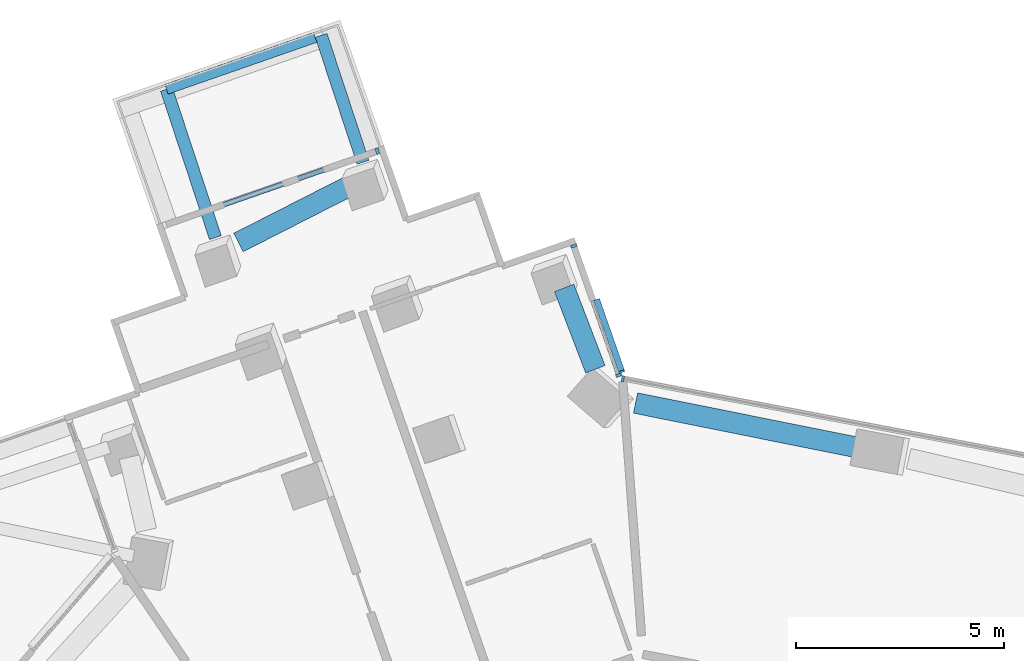
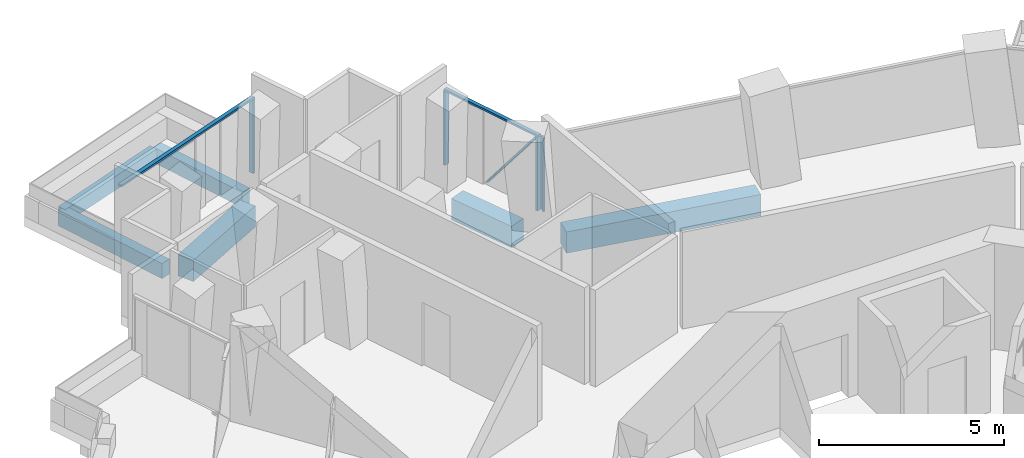
# One storey, part 8 of 23: 7 members, 6 beams, 3 elements without a shape of their own.
"""IFC4 building model written with IfcOpenShell, lengths in metres."""

from ifc_helpers import new_model, si_unit, direction, frame, origin, origin_2d, place, context, subcontext, project, spatial, rectangle, extrude, material, layer, layer_set, material_profile, profile_set, type_object, element, aggregate, save


model = new_model("IFC4")

# Units and contexts
model_context = context("Model", 3, precision=1e-05, world=origin(), true_north=direction((0.0, 1.0)))
body_context = subcontext(model_context, "Body", "Model", "MODEL_VIEW")
ifc_project = project(units=[si_unit("LENGTHUNIT", "METRE"), si_unit("AREAUNIT", "SQUARE_METRE"), si_unit("VOLUMEUNIT", "CUBIC_METRE"), si_unit("PLANEANGLEUNIT", "RADIAN"), si_unit("MASSUNIT", "GRAM", prefix="KILO")], contexts=[model_context])

# Site, building, storey
site_placement = place(None, origin())
site = spatial("IfcSite", under=ifc_project, at=site_placement, CompositionType="ELEMENT")
building_placement = place(site_placement, origin())
building = spatial("IfcBuilding", under=site, at=building_placement, Name="Verdalira Terraces Hotel", CompositionType="ELEMENT")
storey_placement = place(building_placement, frame((0.0, 0.0, 111.5)))
storey = spatial("IfcBuildingStorey", under=building, at=storey_placement, Name="L26", CompositionType="ELEMENT", Elevation=111.5)

# Beams
ifc_material_1 = material(Name="Concrete C40", Category="concrete")
ifc_material_profile_1 = material_profile(ifc_material_1, rectangle(XDim=0.300049, YDim=0.5, at=origin_2d()), Name="RC 300X500")
ifc_profile_set_1 = profile_set([ifc_material_profile_1], Name="Concrete C40")
beam_type_1 = type_object("IfcBeamType", Name="Balcony cantilever beam RC 300X500 C40", PredefinedType="BEAM", material=ifc_profile_set_1)
beam_1_placement = place(storey_placement, frame((-8.081299, 30.177979, -0.560059), z_axis=(-0.312967876, 0.949763712, 0.0), x_axis=(-0.949763712, -0.312967876, 0.0)))
element("IfcBeam", 1, at=beam_1_placement, inside=storey, type_object=beam_type_1, Name="Balcony cantilever beam R05-1", PredefinedType="BEAM", context=body_context, shape_type="SweptSolid", body=[
    extrude(rectangle(XDim=0.300049, YDim=0.5, at=origin_2d()), origin(), (0.0, 0.0, 1.0), 3.2146),
])
beam_2_placement = place(storey_placement, frame((-11.632812, 28.36377, -0.560059), z_axis=(-0.313012075, 0.949749146, 0.0), x_axis=(-0.949749146, -0.313012075, 0.0)))
element("IfcBeam", 2, at=beam_2_placement, inside=storey, type_object=beam_type_1, Name="Balcony cantilever beam R05-2", PredefinedType="BEAM", context=body_context, shape_type="SweptSolid", body=[
    extrude(rectangle(XDim=0.300049, YDim=0.5, at=origin_2d()), origin(), (0.0, 0.0, 1.0), 3.760254),
])
ifc_material_2 = material(Name="Concrete C40", Category="concrete")
ifc_material_profile_2 = material_profile(ifc_material_2, rectangle(XDim=0.25, YDim=0.449951, at=origin_2d()), Name="RC 250X450")
ifc_profile_set_2 = profile_set([ifc_material_profile_2], Name="Concrete C40")
beam_type_2 = type_object("IfcBeamType", Name="Balcony edge beam RC 250X450 C40", PredefinedType="BEAM", material=ifc_profile_set_2)
beam_3_placement = place(storey_placement, frame((-9.229004, 33.181885, -0.534912), z_axis=(-0.944388164, -0.328832778, 0.0), x_axis=(0.328832778, -0.944388164, 0.0)))
element("IfcBeam", 3, at=beam_3_placement, inside=storey, type_object=beam_type_2, Name="Balcony edge beam R05-1", PredefinedType="BEAM", context=body_context, shape_type="SweptSolid", body=[
    extrude(rectangle(XDim=0.25, YDim=0.449951, at=origin_2d()), origin(), (0.0, 0.0, 1.0), 3.791748),
])

# Curtain wall, member
ifc_material_3 = material(Name="Clear glass", Category="glass")
ifc_layer_1 = layer(ifc_material_3, 0.14990234375)
ifc_layer_set_1 = layer_set([ifc_layer_1], Name="CW1 curtain wall")
curtain_wall_type_1 = type_object("IfcCurtainWallType", Name="CW1 curtain wall", PredefinedType="NOTDEFINED", material=ifc_layer_set_1)
curtain_wall_1_placement = place(storey_placement, origin())
curtain_wall_1 = element("IfcCurtainWall", 4, at=curtain_wall_1_placement, inside=storey, type_object=curtain_wall_type_1, Name="CW1 curtain wall L26 edge 41", PredefinedType="NOTDEFINED")
ifc_material_4 = material(Name="Terracotta frame", Category="masonry")
ifc_material_profile_3 = material_profile(ifc_material_4, rectangle(XDim=0.060059, YDim=0.149902, at=origin_2d()), Name="MU 60x150")
ifc_profile_set_3 = profile_set([ifc_material_profile_3], Name="Terracotta frame")
member_type_1 = type_object("IfcMemberType", Name="CW1 mullion 60x150", PredefinedType="MULLION", material=ifc_profile_set_3)
member_1_placement = place(storey_placement, frame((-1.823975, 24.967285, 0.0), z_axis=(0.0, 0.0, 1.0), x_axis=(-0.982287251, 0.187381315, 0.0)))
member_1 = element("IfcMember", 5, at=member_1_placement, type_object=member_type_1, Name="CW1 mullion", PredefinedType="MULLION", context=body_context, shape_type="SweptSolid", body=[
    extrude(rectangle(XDim=0.060059, YDim=0.149902, at=origin_2d()), origin(), (0.0, 0.0, 1.0), 2.425049),
])
aggregate(curtain_wall_1, [member_1])

# Curtain wall, members
ifc_material_5 = material(Name="Clear glass", Category="glass")
ifc_layer_2 = layer(ifc_material_5, 0.14990234375)
ifc_layer_set_2 = layer_set([ifc_layer_2], Name="CW2 curtain wall")
curtain_wall_type_2 = type_object("IfcCurtainWallType", Name="CW2 curtain wall", PredefinedType="NOTDEFINED", material=ifc_layer_set_2)
curtain_wall_2_placement = place(storey_placement, origin())
curtain_wall_2 = element("IfcCurtainWall", 6, at=curtain_wall_2_placement, inside=storey, type_object=curtain_wall_type_2, Name="CW2 curtain wall L26 edge 0", PredefinedType="NOTDEFINED")
ifc_material_6 = material(Name="Terracotta frame", Category="masonry")
ifc_material_profile_4 = material_profile(ifc_material_6, rectangle(XDim=0.070068, YDim=0.149902, at=origin_2d()), Name="MU 70x150")
ifc_profile_set_4 = profile_set([ifc_material_profile_4], Name="Terracotta frame")
member_type_2 = type_object("IfcMemberType", Name="CW2 mullion 70x150", PredefinedType="MULLION", material=ifc_profile_set_4)
member_2_placement = place(storey_placement, frame((-1.921631, 25.054932, 0.0), z_axis=(0.0, 0.0, 1.0), x_axis=(-0.328866647, 0.94437637, 0.0)))
member_2 = element("IfcMember", 7, at=member_2_placement, type_object=member_type_2, Name="CW2 mullion", PredefinedType="MULLION", context=body_context, shape_type="SweptSolid", body=[
    extrude(rectangle(XDim=0.070068, YDim=0.149902, at=origin_2d()), origin(), (0.0, 0.0, 1.0), 2.425049),
])
member_3_placement = place(storey_placement, frame((-3.004639, 28.164795, 0.0), z_axis=(0.0, 0.0, 1.0), x_axis=(-0.328866647, 0.94437637, 0.0)))
member_3 = element("IfcMember", 8, at=member_3_placement, type_object=member_type_2, Name="CW2 mullion", PredefinedType="MULLION", context=body_context, shape_type="SweptSolid", body=[
    extrude(rectangle(XDim=0.070068, YDim=0.149902, at=origin_2d()), origin(), (0.0, 0.0, 1.0), 2.425049),
])
ifc_material_7 = material(Name="Terracotta frame", Category="masonry")
ifc_material_profile_5 = material_profile(ifc_material_7, rectangle(XDim=0.11499, YDim=0.064941, at=origin_2d()), Name="TR 65x115")
ifc_profile_set_5 = profile_set([ifc_material_profile_5], Name="Terracotta frame")
member_type_3 = type_object("IfcMemberType", Name="CW2 transom 65x115", PredefinedType="USERDEFINED", material=ifc_profile_set_5)
member_4_placement = place(storey_placement, frame((-1.910156, 25.021973, 2.45752), z_axis=(-0.328875396, 0.944373323, 0.0), x_axis=(-0.944373323, -0.328875396, 0.0)))
member_4 = element("IfcMember", 9, at=member_4_placement, type_object=member_type_3, Name="CW2 transom", ObjectType="TRANSOM", PredefinedType="USERDEFINED", context=body_context, shape_type="SweptSolid", body=[
    extrude(rectangle(XDim=0.11499, YDim=0.064941, at=origin_2d()), origin(), (0.0, 0.0, 1.0), 3.362793),
])

ifc_material_8 = material(Name="Clear glass", Category="glass")
ifc_layer_3 = layer(ifc_material_8, 0.14990234375)
ifc_layer_set_3 = layer_set([ifc_layer_3], Name="CW3 curtain wall")
curtain_wall_type_3 = type_object("IfcCurtainWallType", Name="CW3 curtain wall", PredefinedType="NOTDEFINED", material=ifc_layer_set_3)
curtain_wall_3_placement = place(storey_placement, origin())
curtain_wall_3 = element("IfcCurtainWall", 10, at=curtain_wall_3_placement, inside=storey, type_object=curtain_wall_type_3, Name="CW3 curtain wall L26 edge 5", PredefinedType="NOTDEFINED")
ifc_material_9 = material(Name="Terracotta frame", Category="masonry")
ifc_material_profile_6 = material_profile(ifc_material_9, rectangle(XDim=0.080078, YDim=0.149902, at=origin_2d()), Name="MU 80x150")
ifc_profile_set_6 = profile_set([ifc_material_profile_6], Name="Terracotta frame")
member_type_4 = type_object("IfcMemberType", Name="CW3 mullion 80x150", PredefinedType="MULLION", material=ifc_profile_set_6)
member_5_placement = place(storey_placement, frame((-7.733154, 30.446777, 0.0), z_axis=(0.0, 0.0, 1.0), x_axis=(-0.94437637, -0.328866647, 0.0)))
member_5 = element("IfcMember", 11, at=member_5_placement, type_object=member_type_4, Name="CW3 mullion", PredefinedType="MULLION", context=body_context, shape_type="SweptSolid", body=[
    extrude(rectangle(XDim=0.080078, YDim=0.149902, at=origin_2d()), origin(), (0.0, 0.0, 1.0), 2.425049),
])
ifc_material_10 = material(Name="Terracotta frame", Category="masonry")
ifc_material_profile_7 = material_profile(ifc_material_10, rectangle(XDim=0.120117, YDim=0.064941, at=origin_2d()), Name="TR 65x120")
ifc_profile_set_7 = profile_set([ifc_material_profile_7], Name="Terracotta frame")
member_type_5 = type_object("IfcMemberType", Name="CW3 transom 65x120", PredefinedType="USERDEFINED", material=ifc_profile_set_7)
member_6_placement = place(storey_placement, frame((-7.695312, 30.459961, 2.45752), z_axis=(-0.94437277, -0.328876985, 0.0), x_axis=(0.328876985, -0.94437277, 0.0)))
member_6 = element("IfcMember", 12, at=member_6_placement, type_object=member_type_5, Name="CW3 transom", ObjectType="TRANSOM", PredefinedType="USERDEFINED", context=body_context, shape_type="SweptSolid", body=[
    extrude(rectangle(XDim=0.120117, YDim=0.064941, at=origin_2d()), origin(), (0.0, 0.0, 1.0), 5.5),
])
aggregate(curtain_wall_3, [member_5, member_6])

# Member
ifc_material_11 = material(Name="Terracotta frame", Category="masonry")
ifc_material_profile_8 = material_profile(ifc_material_11, rectangle(XDim=0.149902, YDim=0.060059, at=origin_2d()), Name="GB 60x150")
ifc_profile_set_8 = profile_set([ifc_material_profile_8], Name="Terracotta frame")
member_type_6 = type_object("IfcMemberType", Name="Diagonal glazing bar 60x150", PredefinedType="USERDEFINED", material=ifc_profile_set_8)
member_7_placement = place(storey_placement, frame((-1.855469, 25.141602, 2.392578), z_axis=(-0.200387745, 0.5754073, -0.792938327), x_axis=(-0.944371414, -0.328880879, 0.0)))
member_7 = element("IfcMember", 13, at=member_7_placement, type_object=member_type_6, Name="Diagonal glazing bar", ObjectType="GLAZING BAR", PredefinedType="USERDEFINED", context=body_context, shape_type="SweptSolid", body=[
    extrude(rectangle(XDim=0.149902, YDim=0.060059, at=origin_2d()), origin(), (0.0, 0.0, 1.0), 2.976318),
])

aggregate(curtain_wall_2, [member_2, member_3, member_4, member_7])

# Beams
ifc_material_12 = material(Name="Concrete C70", Category="concrete")
ifc_material_profile_9 = material_profile(ifc_material_12, rectangle(XDim=0.5, YDim=0.699951, at=origin_2d()), Name="RC 500X700")
ifc_profile_set_9 = profile_set([ifc_material_profile_9], Name="Concrete C70")
beam_type_3 = type_object("IfcBeamType", Name="Spandrel beam RC 500X700 C70", PredefinedType="SPANDREL", material=ifc_profile_set_9)
beam_4_placement = place(storey_placement, frame((-2.488525, 25.197021, -0.659912), z_axis=(-0.358230266, 0.933633267, 0.0), x_axis=(-0.933633267, -0.358230266, 0.0)))
element("IfcBeam", 14, at=beam_4_placement, inside=storey, type_object=beam_type_3, Name="Spandrel beam B01", PredefinedType="SPANDREL", context=body_context, shape_type="SweptSolid", body=[
    extrude(rectangle(XDim=0.5, YDim=0.699951, at=origin_2d()), origin(), (0.0, 0.0, 1.0), 2.097656),
])
beam_5_placement = place(storey_placement, frame((-8.337402, 29.642578, -0.659912), z_axis=(-0.89113277, -0.453742643, 0.0), x_axis=(0.453742643, -0.89113277, 0.0)))
element("IfcBeam", 15, at=beam_5_placement, inside=storey, type_object=beam_type_3, Name="Spandrel beam B02", PredefinedType="SPANDREL", context=body_context, shape_type="SweptSolid", body=[
    extrude(rectangle(XDim=0.5, YDim=0.699951, at=origin_2d()), origin(), (0.0, 0.0, 1.0), 3.075439),
])
beam_6_placement = place(storey_placement, frame((3.913818, 23.292725, -0.659912), z_axis=(-0.980412658, 0.196954362, 0.0), x_axis=(-0.196954362, -0.980412658, 0.0)))
element("IfcBeam", 16, at=beam_6_placement, inside=storey, type_object=beam_type_3, Name="Spandrel beam B29", PredefinedType="SPANDREL", context=body_context, shape_type="SweptSolid", body=[
    extrude(rectangle(XDim=0.5, YDim=0.699951, at=origin_2d()), origin(), (0.0, 0.0, 1.0), 5.544678),
])

save(model, "model.ifc")
